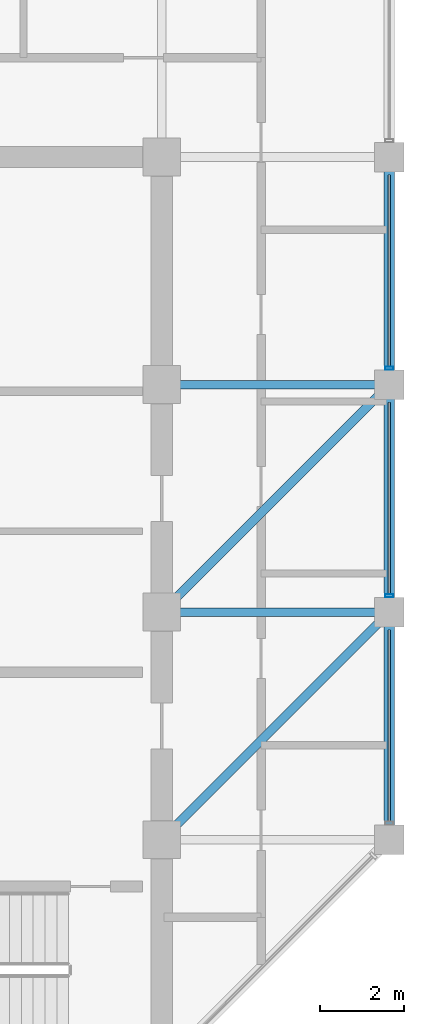
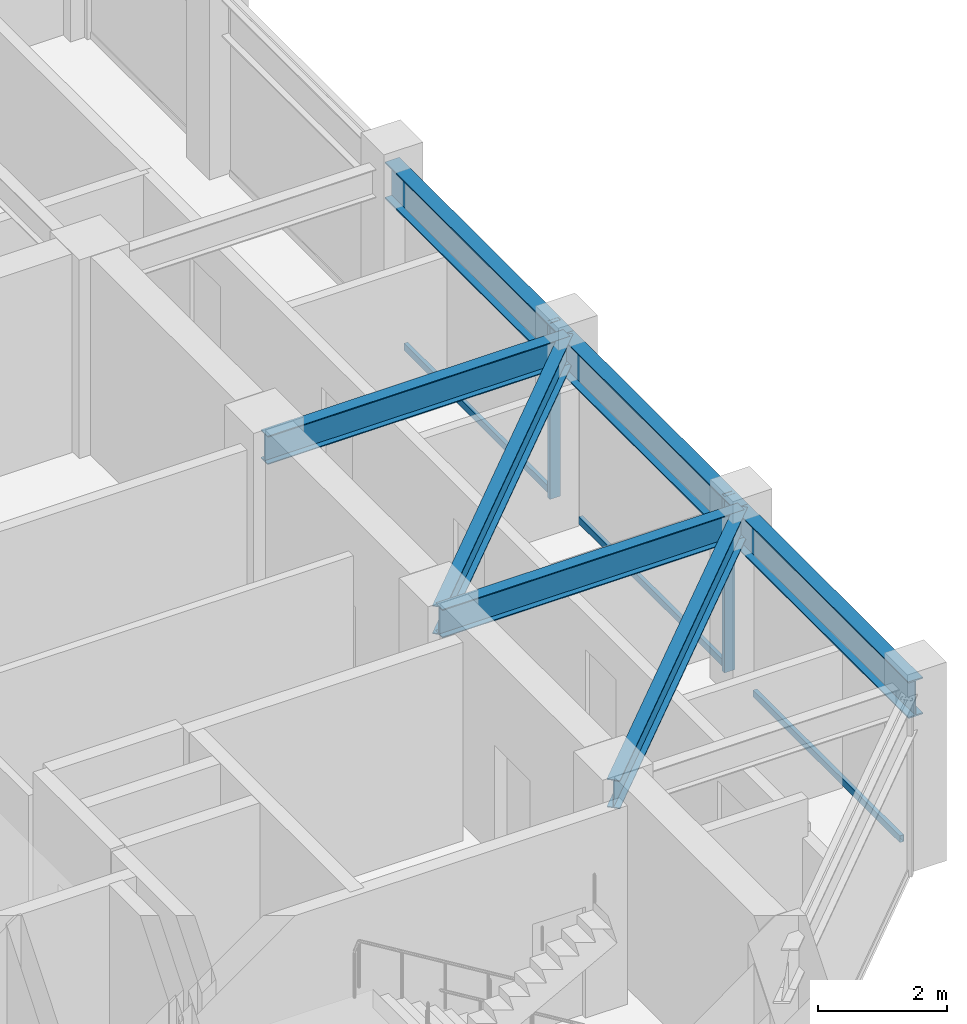
# One storey, part 13 of 31: 7 beams, 5 members, 1 element without a shape of its own.
"""IFC4 building model written with IfcOpenShell, lengths in metres."""

from ifc_helpers import new_model, si_unit, direction, frame, origin, origin_2d, place, context, subcontext, project, spatial, hollow_rectangle, i_section, extrude, material, layer, layer_set, material_profile, profile_set, type_object, element, aggregate, save


model = new_model("IFC4")

# Units and contexts
model_context = context("Model", 3, precision=1e-05, world=origin(), true_north=direction((0.0, 1.0)))
body_context = subcontext(model_context, "Body", "Model", "MODEL_VIEW")
ifc_project = project(units=[si_unit("LENGTHUNIT", "METRE"), si_unit("AREAUNIT", "SQUARE_METRE"), si_unit("VOLUMEUNIT", "CUBIC_METRE"), si_unit("PLANEANGLEUNIT", "RADIAN"), si_unit("MASSUNIT", "GRAM", prefix="KILO")], contexts=[model_context])

# Site, building, storey
site_placement = place(None, origin())
site = spatial("IfcSite", under=ifc_project, at=site_placement, CompositionType="ELEMENT")
building_placement = place(site_placement, origin())
building = spatial("IfcBuilding", under=site, at=building_placement, Name="Surkhivell Harbour Commons", CompositionType="ELEMENT")
storey_placement = place(building_placement, frame((0.0, 0.0, 333.75)))
storey = spatial("IfcBuildingStorey", under=building, at=storey_placement, Name="L87", CompositionType="ELEMENT", Elevation=333.75)

# Beams
ifc_material_1 = material(Name="Steel S355", Category="steel")
ifc_material_profile_1 = material_profile(ifc_material_1, i_section(OverallWidth=0.2099609375, OverallDepth=0.537109375, WebThickness=0.0107421875, FlangeThickness=0.017333984375, at=origin_2d()), Name="UB533x210x101")
ifc_profile_set_1 = profile_set([ifc_material_profile_1], Name="Steel S355")
beam_type_1 = type_object("IfcBeamType", Name="BM-GRD-533B", PredefinedType="BEAM", material=ifc_profile_set_1)
beam_1_placement = place(storey_placement, frame((10.800048828125, -5.39990234375, 3.0615234375), z_axis=(0.707106781187, 0.707106781187, 0.0), x_axis=(-0.707106781187, 0.707106781187, 0.0)))
element("IfcBeam", 1, at=beam_1_placement, inside=storey, type_object=beam_type_1, Name="L87 Floor Girder (10.8,-5.4)", PredefinedType="BEAM", context=body_context, shape_type="SweptSolid", body=[
    extrude(i_section(OverallWidth=0.2099609375, OverallDepth=0.537109375, WebThickness=0.0107421875, FlangeThickness=0.017333984375, at=origin_2d()), origin(), (0.0, 0.0, 1.0), 7.63671875),
])
beam_2_placement = place(storey_placement, frame((10.800048828125, 0.0, 3.0615234375), z_axis=(1.0, 0.0, 0.0), x_axis=(0.0, 1.0, 0.0)))
element("IfcBeam", 2, at=beam_2_placement, inside=storey, type_object=beam_type_1, Name="L87 Floor Girder (10.8,0.0)", PredefinedType="BEAM", context=body_context, shape_type="SweptSolid", body=[
    extrude(i_section(OverallWidth=0.2099609375, OverallDepth=0.537109375, WebThickness=0.0107421875, FlangeThickness=0.017333984375, at=origin_2d()), origin(), (0.0, 0.0, 1.0), 5.39990234375),
])
beam_3_placement = place(storey_placement, frame((10.800048828125, 0.0, 3.0615234375), z_axis=(0.707106781187, 0.707106781187, 0.0), x_axis=(-0.707106781187, 0.707106781187, 0.0)))
element("IfcBeam", 3, at=beam_3_placement, inside=storey, type_object=beam_type_1, Name="L87 Floor Girder (10.8,0.0)", PredefinedType="BEAM", context=body_context, shape_type="SweptSolid", body=[
    extrude(i_section(OverallWidth=0.2099609375, OverallDepth=0.537109375, WebThickness=0.0107421875, FlangeThickness=0.017333984375, at=origin_2d()), origin(), (0.0, 0.0, 1.0), 7.63671875),
])
beam_4_placement = place(storey_placement, frame((10.800048828125, 5.39990234375, 3.0615234375), z_axis=(1.0, 0.0, 0.0), x_axis=(0.0, 1.0, 0.0)))
element("IfcBeam", 4, at=beam_4_placement, inside=storey, type_object=beam_type_1, Name="L87 Floor Girder (10.8,5.4)", PredefinedType="BEAM", context=body_context, shape_type="SweptSolid", body=[
    extrude(i_section(OverallWidth=0.2099609375, OverallDepth=0.537109375, WebThickness=0.0107421875, FlangeThickness=0.017333984375, at=origin_2d()), origin(), (0.0, 0.0, 1.0), 5.39990234375),
])
ifc_material_profile_2 = material_profile(ifc_material_1, i_section(OverallWidth=0.256103515625, OverallDepth=0.693115234375, WebThickness=0.014404296875, FlangeThickness=0.023681640625, at=origin_2d()), Name="UB686x254x170")
ifc_profile_set_2 = profile_set([ifc_material_profile_2], Name="Steel S355")
beam_type_2 = type_object("IfcBeamType", Name="BM-SPN-686", PredefinedType="SPANDREL", material=ifc_profile_set_2)
for number, where, z_axis, x_axis, name in (
    (5, (16.199951171875, -5.39990234375, 2.9833984375), (0.0, 1.0, 0.0), (-1.0, 0.0, 0.0), "L87 Tube Spandrel (16.2,-5.4)"),
    (6, (16.199951171875, 0.0, 2.9833984375), (0.0, 1.0, 0.0), (-1.0, 0.0, 0.0), "L87 Tube Spandrel (16.2,0.0)"),
):
    element("IfcBeam", number, at=place(storey_placement, frame(where, z_axis=z_axis, x_axis=x_axis)), inside=storey, type_object=beam_type_2, Name=name, PredefinedType="SPANDREL", context=body_context, shape_type="SweptSolid", body=[
        extrude(i_section(OverallWidth=0.256103515625, OverallDepth=0.693115234375, WebThickness=0.014404296875, FlangeThickness=0.023681640625, at=origin_2d()), origin(), (0.0, 0.0, 1.0), 5.39990234375),
    ])
beam_5_placement = place(storey_placement, frame((16.199951171875, 5.39990234375, 2.9833984375), z_axis=(0.0, 1.0, 0.0), x_axis=(-1.0, 0.0, 0.0)))
element("IfcBeam", 7, at=beam_5_placement, inside=storey, type_object=beam_type_2, Name="L87 Tube Spandrel (16.2,5.4)", PredefinedType="SPANDREL", context=body_context, shape_type="SweptSolid", body=[
    extrude(i_section(OverallWidth=0.256103515625, OverallDepth=0.693115234375, WebThickness=0.014404296875, FlangeThickness=0.023681640625, at=origin_2d()), origin(), (0.0, 0.0, 1.0), 5.400146484375),
])

# Curtain wall, members
ifc_material_2 = material(Name="Anodised pale-metal aluminium and insulated glazing", Category="aluminium")
ifc_layer = layer(ifc_material_2, 0.175048828125)
ifc_layer_set = layer_set([ifc_layer], Name="Anodised pale-metal aluminium and insulated glazing")
curtain_wall_type = type_object("IfcCurtainWallType", Name="CW-SYS-Z4", PredefinedType="NOTDEFINED", material=ifc_layer_set)
curtain_wall_placement = place(storey_placement, origin())
curtain_wall = element("IfcCurtainWall", 8, at=curtain_wall_placement, inside=storey, type_object=curtain_wall_type, Name="L87 Curtain Wall CW-L87-E02", PredefinedType="NOTDEFINED")
ifc_material_3 = material(Name="Anodised pale-metal aluminium alloy 6063-T6", Category="aluminium")
ifc_material_profile_3 = material_profile(ifc_material_3, hollow_rectangle(XDim=0.074951171875, YDim=0.18994140625, WallThickness=0.00390625, at=origin_2d()), Name="ALU-MULL-75x190")
ifc_profile_set_3 = profile_set([ifc_material_profile_3], Name="Anodised pale-metal aluminium alloy 6063-T6")
member_type_1 = type_object("IfcMemberType", Name="CWM-190", PredefinedType="MULLION", material=ifc_profile_set_3)
member_1_placement = place(storey_placement, frame((16.199951171875, 0.389404296875, 0.0), z_axis=(0.0, 0.0, 1.0), x_axis=(0.0, 1.0, 0.0)))
member_1 = element("IfcMember", 9, at=member_1_placement, type_object=member_type_1, Name="CW-Z4 mullion 2", PredefinedType="MULLION", context=body_context, shape_type="SweptSolid", body=[
    extrude(hollow_rectangle(XDim=0.074951171875, YDim=0.18994140625, WallThickness=0.00390625, at=origin_2d()), origin(), (0.0, 0.0, 1.0), 3.330078125),
])
member_2_placement = place(storey_placement, frame((16.199951171875, 5.78955078125, 0.0), z_axis=(0.0, 0.0, 1.0), x_axis=(0.0, 1.0, 0.0)))
member_2 = element("IfcMember", 10, at=member_2_placement, type_object=member_type_1, Name="CW-Z4 mullion 3", PredefinedType="MULLION", context=body_context, shape_type="SweptSolid", body=[
    extrude(hollow_rectangle(XDim=0.074951171875, YDim=0.18994140625, WallThickness=0.00390625, at=origin_2d()), origin(), (0.0, 0.0, 1.0), 3.330078125),
])
ifc_material_4 = material(Name="Champagne anodised aluminium alloy 6063-T6", Category="aluminium")
ifc_material_profile_4 = material_profile(ifc_material_4, hollow_rectangle(XDim=0.070068359375, YDim=0.1298828125, WallThickness=0.00341796875, at=origin_2d()), Name="ALU-TRAN-70x130")
ifc_profile_set_4 = profile_set([ifc_material_profile_4], Name="Champagne anodised aluminium alloy 6063-T6")
member_type_2 = type_object("IfcMemberType", Name="CWT-130", PredefinedType="USERDEFINED", material=ifc_profile_set_4)
member_3_placement = place(storey_placement, frame((16.199951171875, -4.972900390625, 0.06494140625), z_axis=(0.0, 1.0, 0.0), x_axis=(-1.0, 0.0, 0.0)))
member_3 = element("IfcMember", 11, at=member_3_placement, type_object=member_type_2, Name="CW-Z4 transom 1.1", ObjectType="TRANSOM", PredefinedType="USERDEFINED", context=body_context, shape_type="SweptSolid", body=[
    extrude(hollow_rectangle(XDim=0.070068359375, YDim=0.1298828125, WallThickness=0.00341796875, at=origin_2d()), origin(), (0.0, 0.0, 1.0), 4.5458984375),
])
member_4_placement = place(storey_placement, frame((16.199951171875, 0.427001953125, 0.06494140625), z_axis=(0.0, 1.0, 0.0), x_axis=(-1.0, 0.0, 0.0)))
member_4 = element("IfcMember", 12, at=member_4_placement, type_object=member_type_2, Name="CW-Z4 transom 2.1", ObjectType="TRANSOM", PredefinedType="USERDEFINED", context=body_context, shape_type="SweptSolid", body=[
    extrude(hollow_rectangle(XDim=0.070068359375, YDim=0.1298828125, WallThickness=0.00341796875, at=origin_2d()), origin(), (0.0, 0.0, 1.0), 4.5458984375),
])
member_5_placement = place(storey_placement, frame((16.199951171875, 5.826904296875, 0.06494140625), z_axis=(0.0, 1.0, 0.0), x_axis=(-1.0, 0.0, 0.0)))
member_5 = element("IfcMember", 13, at=member_5_placement, type_object=member_type_2, Name="CW-Z4 transom 3.1", ObjectType="TRANSOM", PredefinedType="USERDEFINED", context=body_context, shape_type="SweptSolid", body=[
    extrude(hollow_rectangle(XDim=0.070068359375, YDim=0.1298828125, WallThickness=0.00341796875, at=origin_2d()), origin(), (0.0, 0.0, 1.0), 4.546142578125),
])
aggregate(curtain_wall, [member_3, member_1, member_4, member_2, member_5])

save(model, "model.ifc")
